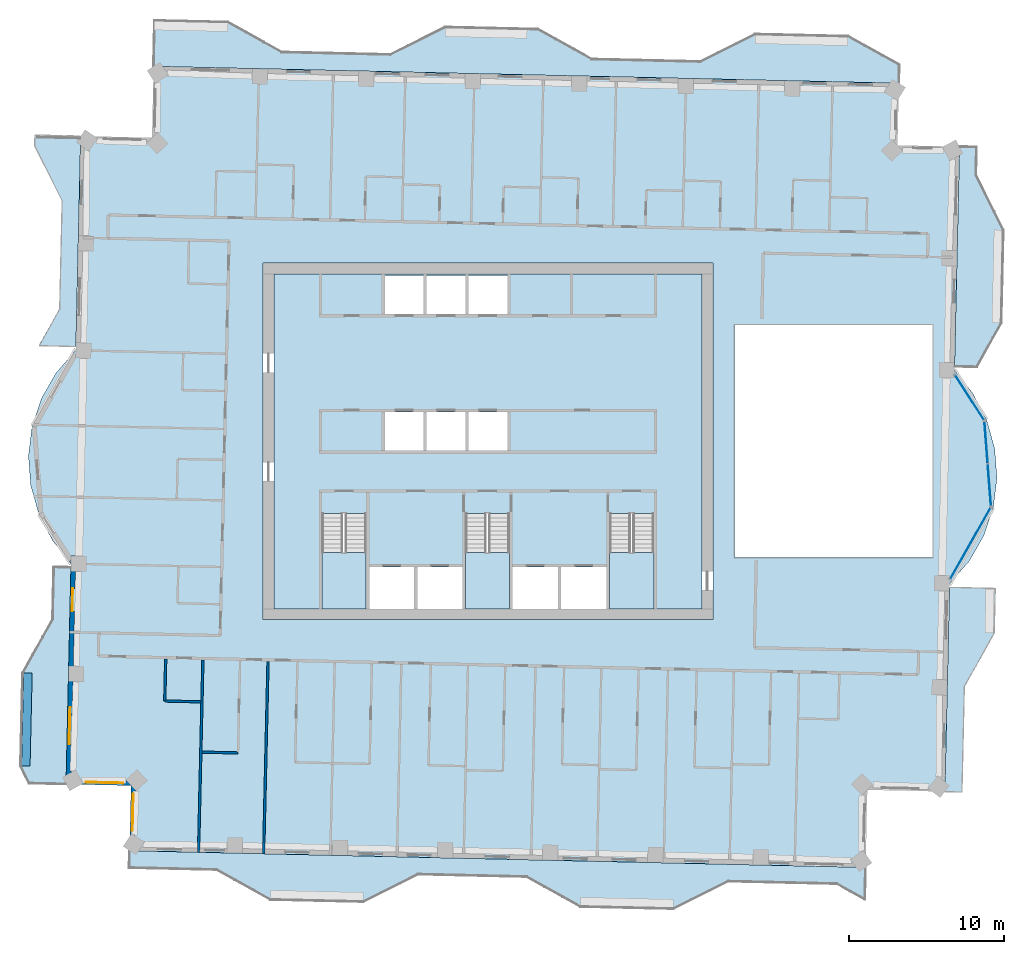
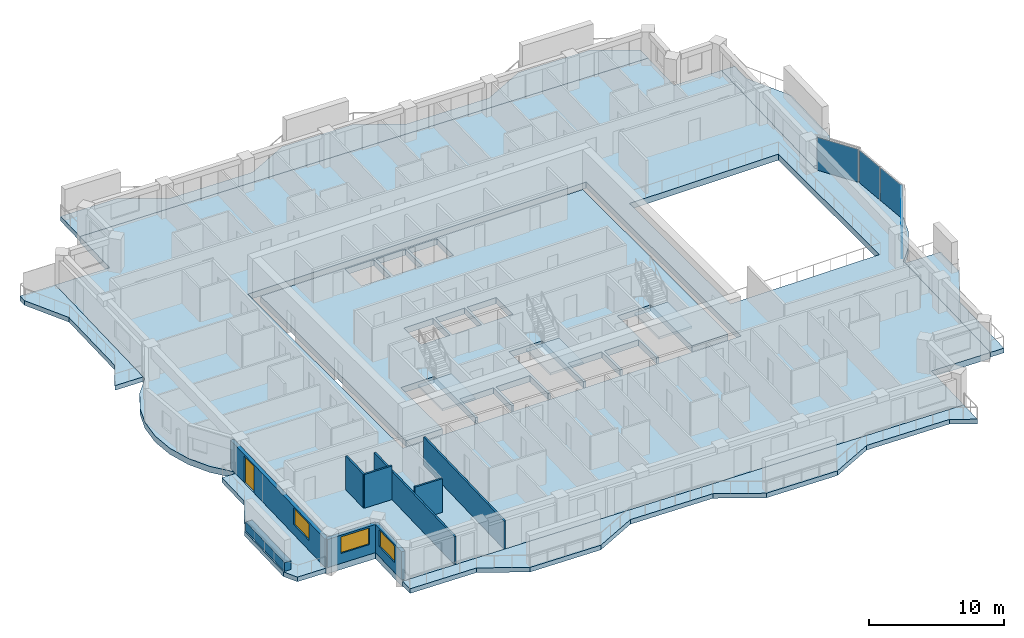
# One storey, part 5 of 17: 11 slabs, 9 walls, 4 plates, 3 windows, 1 door, 4 openings, 6 elements without a shape of their own.
"""IFC4 building model written with IfcOpenShell, lengths in metres."""

from ifc_helpers import new_model, si_unit, direction, frame, frame_2d, origin, origin_2d, place, context, subcontext, project, spatial, polyline, rectangle, outline, extrude, material, layer, layer_set, type_object, element, fill, aggregate, save


model = new_model("IFC4")

# Units and contexts
model_context = context("Model", 3, precision=1e-05, world=origin(), true_north=direction((0.0, 1.0)))
body_context = subcontext(model_context, "Body", "Model", "MODEL_VIEW")
ifc_project = project(units=[si_unit("LENGTHUNIT", "METRE"), si_unit("AREAUNIT", "SQUARE_METRE"), si_unit("VOLUMEUNIT", "CUBIC_METRE"), si_unit("PLANEANGLEUNIT", "RADIAN"), si_unit("MASSUNIT", "GRAM", prefix="KILO")], contexts=[model_context])

# Site, building, storey
site_placement = place(None, origin())
site = spatial("IfcSite", under=ifc_project, at=site_placement, CompositionType="ELEMENT")
building_placement = place(site_placement, origin())
building = spatial("IfcBuilding", under=site, at=building_placement, Name="Mangrove Gate Tower", CompositionType="ELEMENT")
storey_placement = place(building_placement, frame((0.0, 0.0, 260.89990234375)))
storey = spatial("IfcBuildingStorey", under=building, at=storey_placement, Name="L66", CompositionType="ELEMENT", Elevation=260.89990234375)

# Curtain wall, plate
ifc_material_1 = material(Name="Aluminium and glass curtain wall", Category="aluminium")
curtain_wall_type = type_object("IfcCurtainWallType", Name="Atrium garden-court glazing wall", PredefinedType="NOTDEFINED", material=ifc_material_1)
curtain_wall_1_placement = place(storey_placement, origin())
curtain_wall_1 = element("IfcCurtainWall", 1, at=curtain_wall_1_placement, inside=storey, type_object=curtain_wall_type, Name="Atrium garden-court glazing E1f1", PredefinedType="NOTDEFINED")
ifc_material_2 = material(Name="Laminated low-e glass", Category="glass")
ifc_layer_1 = layer(ifc_material_2, 0.031982421875)
ifc_layer_set_1 = layer_set([ifc_layer_1], Name="Atrium garden-court glazing panel 32")
plate_type = type_object("IfcPlateType", Name="Atrium garden-court glazing panel 32", PredefinedType="CURTAIN_PANEL", material=ifc_layer_set_1)
plate_1_placement = place(storey_placement, frame((31.117919921875, -6.572509765625, 0.0), z_axis=(0.0, 0.0, 1.0), x_axis=(0.492567972087, 0.870273975754, 0.0)))
plate_1 = element("IfcPlate", 2, at=plate_1_placement, type_object=plate_type, Name="CWA panel 1.1", PredefinedType="CURTAIN_PANEL", context=body_context, shape_type="SweptSolid", body=[
    extrude(rectangle(XDim=5.257568359375, YDim=0.031982421875, at=origin_2d()), origin(), (0.0, 0.0, 1.0), 2.97998046875),
])
aggregate(curtain_wall_1, [plate_1])

# Curtain wall, plates
curtain_wall_2_placement = place(storey_placement, origin())
curtain_wall_2 = element("IfcCurtainWall", 3, at=curtain_wall_2_placement, inside=storey, type_object=curtain_wall_type, Name="Atrium garden-court glazing E1f2", PredefinedType="NOTDEFINED")
plate_2_placement = place(storey_placement, frame((32.338623046875, -2.817138671875, 0.0), z_axis=(0.0, 0.0, 1.0), x_axis=(-0.077023348403, 0.997029289339, 0.0)))
plate_2 = element("IfcPlate", 4, at=plate_2_placement, type_object=plate_type, Name="CWA panel 1.1", PredefinedType="CURTAIN_PANEL", context=body_context, shape_type="SweptSolid", body=[
    extrude(rectangle(XDim=2.681640625, YDim=0.031982421875, at=origin_2d()), origin(), (0.0, 0.0, 1.0), 2.97998046875),
])
plate_3_placement = place(storey_placement, frame((32.126708984375, -0.07373046875, 0.0), z_axis=(0.0, 0.0, 1.0), x_axis=(-0.077023348403, 0.997029289339, 0.0)))
plate_3 = element("IfcPlate", 5, at=plate_3_placement, type_object=plate_type, Name="CWA panel 2.1", PredefinedType="CURTAIN_PANEL", context=body_context, shape_type="SweptSolid", body=[
    extrude(rectangle(XDim=2.681640625, YDim=0.031982421875, at=origin_2d()), origin(), (0.0, 0.0, 1.0), 2.97998046875),
])
aggregate(curtain_wall_2, [plate_2, plate_3])

# Curtain wall, plate
curtain_wall_3_placement = place(storey_placement, origin())
curtain_wall_3 = element("IfcCurtainWall", 6, at=curtain_wall_3_placement, inside=storey, type_object=curtain_wall_type, Name="Atrium garden-court glazing E1f3", PredefinedType="NOTDEFINED")
plate_4_placement = place(storey_placement, frame((31.0537109375, 2.833984375, 0.0), z_axis=(0.0, 0.0, 1.0), x_axis=(-0.540498107045, 0.841345230141, 0.0)))
plate_4 = element("IfcPlate", 7, at=plate_4_placement, type_object=plate_type, Name="CWA panel 1.1", PredefinedType="CURTAIN_PANEL", context=body_context, shape_type="SweptSolid", body=[
    extrude(rectangle(XDim=3.427978515625, YDim=0.031982421875, at=origin_2d()), origin(), (0.0, 0.0, 1.0), 2.97998046875),
])
aggregate(curtain_wall_3, [plate_4])

# Slabs
ifc_material_3 = material(Name="Porcelain tile")
ifc_layer_2 = layer(ifc_material_3, 0.02001953125, Name="Tile finish")
ifc_material_4 = material(Name="Cement sand screed")
ifc_layer_3 = layer(ifc_material_4, 0.0400390625, Name="Screed laid to falls")
ifc_material_5 = material(Name="Bituminous waterproofing membrane")
ifc_layer_4 = layer(ifc_material_5, 0.00390625, Name="Waterproofing")
ifc_material_6 = material(Name="Concrete C40/50", Category="concrete")
ifc_layer_5 = layer(ifc_material_6, 0.340087890625, Name="Balcony structural slab")
ifc_material_7 = material(Name="Limestone", Category="masonry")
ifc_layer_6 = layer(ifc_material_7, 0.01611328125, Name="Soffit lining")
ifc_layer_set_2 = layer_set([ifc_layer_2, ifc_layer_3, ifc_layer_4, ifc_layer_5, ifc_layer_6], Name="Balcony slab 420 C40/50")
slab_type_1 = type_object("IfcSlabType", Name="Balcony slab 420 C40/50", PredefinedType="FLOOR", material=ifc_layer_set_2)
slab_1_placement = place(storey_placement, frame((0.0, 0.0, -0.419921875)))
element("IfcSlab", 8, at=slab_1_placement, inside=storey, type_object=slab_type_1, Name="BALCONY L66 E0", PredefinedType="FLOOR", context=body_context, shape_type="SweptSolid", body=[
    extrude(outline(polyline([(30.60791015625, -22.614013671875), (30.761962890625, -15.81494140625), (32.69091796875, -12.35791015625), (32.756103515625, -9.48388671875), (29.76708984375, -9.416015625), (29.701904296875, -12.2900390625), (29.6220703125, -15.7890625), (29.468017578125, -22.587890625), (30.60791015625, -22.614013671875)])), origin(), (0.0, 0.0, 1.0), 0.419921875),
])
slab_2_placement = place(storey_placement, frame((0.0, 0.0, -0.419921875)))
element("IfcSlab", 9, at=slab_2_placement, inside=storey, type_object=slab_type_1, Name="BALCONY L66 E1", PredefinedType="FLOOR", context=body_context, shape_type="SweptSolid", body=[
    extrude(outline(polyline([(31.56103515625, 4.797119140625), (33.14501953125, 7.636962890625), (33.281005859375, 13.635009765625), (31.510986328125, 17.176025390625), (31.552001953125, 18.97607421875), (30.412109375, 19.001953125), (30.37109375, 17.201904296875), (30.2919921875, 13.702880859375), (30.156005859375, 7.705078125), (30.090087890625, 4.8310546875), (31.56103515625, 4.797119140625)])), origin(), (0.0, 0.0, 1.0), 0.419921875),
])
slab_3_placement = place(storey_placement, frame((0.0, 0.0, -0.419921875)))
element("IfcSlab", 10, at=slab_3_placement, inside=storey, type_object=slab_type_1, Name="BALCONY L66 N0", PredefinedType="FLOOR", context=body_context, shape_type="SweptSolid", body=[
    extrude(outline(polyline([(26.531982421875, 24.318115234375), (23.236083984375, 26.156005859375), (17.238037109375, 26.2919921875), (13.697021484375, 24.52197265625), (6.698974609375, 24.680908203125), (3.241943359375, 26.610107421875), (2.5419921875, 26.6259765625), (-2.757080078125, 26.74609375), (-6.298095703125, 24.97705078125), (-13.2958984375, 25.135009765625), (-16.7529296875, 27.06396484375), (-21.488037109375, 27.1708984375), (-21.555908203125, 24.181884765625), (26.50390625, 23.091064453125), (26.531982421875, 24.318115234375)])), origin(), (0.0, 0.0, 1.0), 0.419921875),
])
slab_4_placement = place(storey_placement, frame((0.0, 0.0, -0.419921875)))
element("IfcSlab", 11, at=slab_4_placement, inside=storey, type_object=slab_type_1, Name="BALCONY L66 W0", PredefinedType="FLOOR", context=body_context, shape_type="SweptSolid", body=[
    extrude(outline(polyline([(-29.248046875, 19.7548828125), (-29.263916015625, 19.055908203125), (-27.493896484375, 15.513916015625), (-27.653076171875, 8.51611328125), (-28.9619140625, 6.1708984375), (-26.56689453125, 6.115966796875), (-26.512939453125, 8.489990234375), (-26.35400390625, 15.489013671875), (-26.27490234375, 18.988037109375), (-26.259033203125, 19.68798828125), (-29.248046875, 19.7548828125)])), origin(), (0.0, 0.0, 1.0), 0.419921875),
])
slab_5_placement = place(storey_placement, frame((0.0, 0.0, -0.419921875)))
element("IfcSlab", 12, at=slab_5_placement, inside=storey, type_object=slab_type_1, Name="BALCONY L66 W1", PredefinedType="FLOOR", context=body_context, shape_type="SweptSolid", body=[
    extrude(outline(polyline([(-28.030029296875, -8.10498046875), (-28.10693359375, -11.47900390625), (-30.035888671875, -14.93603515625), (-30.172119140625, -20.93408203125), (-29.614990234375, -22.047119140625), (-27.20703125, -22.10205078125), (-27.181884765625, -21.001953125), (-27.0458984375, -15.00390625), (-26.967041015625, -11.50390625), (-26.889892578125, -8.131103515625), (-28.030029296875, -8.10498046875)])), origin(), (0.0, 0.0, 1.0), 0.419921875),
])
slab_6_placement = place(storey_placement, frame((0.0, 0.0, -0.419921875)))
element("IfcSlab", 13, at=slab_6_placement, inside=storey, type_object=slab_type_1, Name="BALCONY L66 S0", PredefinedType="FLOOR", context=body_context, shape_type="SweptSolid", body=[
    extrude(outline(polyline([(-23.1298828125, -27.535888671875), (-17.4951171875, -27.6630859375), (-14.0380859375, -29.592041015625), (-8.0400390625, -29.72900390625), (-4.498046875, -27.9580078125), (2.5, -28.116943359375), (5.95703125, -30.0458984375), (11.955078125, -30.181884765625), (15.49609375, -28.4130859375), (22.4951171875, -28.571044921875), (24.30810546875, -29.5830078125), (24.35595703125, -27.472900390625), (2.52587890625, -26.97802734375), (0.6259765625, -26.93408203125), (-4.472900390625, -26.819091796875), (-23.10400390625, -26.39599609375), (-23.1298828125, -27.535888671875)])), origin(), (0.0, 0.0, 1.0), 0.419921875),
])
ifc_material_8 = material(Name="Concrete C40/50", Category="concrete")
ifc_layer_7 = layer(ifc_material_8, 0.550048828125)
ifc_layer_set_3 = layer_set([ifc_layer_7], Name="Core floor slab 550 C40/50")
slab_type_2 = type_object("IfcSlabType", Name="Core floor slab 550 C40/50", PredefinedType="FLOOR", material=ifc_layer_set_3)
slab_7_placement = place(storey_placement, frame((0.0, 0.0, -0.5498046875)))
element("IfcSlab", 14, at=slab_7_placement, inside=storey, type_object=slab_type_2, Name="SLAB-L66-CORE-1", PredefinedType="FLOOR", context=body_context, shape_type="SweptSolid", body=[
    extrude(outline(polyline([(-13.800048828125, -10.800048828125), (-13.800048828125, 10.800048828125), (13.800048828125, 10.800048828125), (13.800048828125, -10.800048828125), (10.699951171875, -10.800048828125), (10.699951171875, -4.653076171875), (7.85009765625, -4.653076171875), (7.85009765625, -10.800048828125), (7.64990234375, -10.800048828125), (7.64990234375, -8.10009765625), (4.72509765625, -8.10009765625), (4.72509765625, -10.800048828125), (4.52490234375, -10.800048828125), (4.52490234375, -8.10009765625), (1.60009765625, -8.10009765625), (1.60009765625, -10.800048828125), (1.39990234375, -10.800048828125), (1.39990234375, -4.653076171875), (-1.449951171875, -4.653076171875), (-1.449951171875, -10.800048828125), (-1.64990234375, -10.800048828125), (-1.64990234375, -8.10009765625), (-4.550048828125, -8.10009765625), (-4.550048828125, -10.800048828125), (-4.75, -10.800048828125), (-4.75, -8.10009765625), (-7.64990234375, -8.10009765625), (-7.64990234375, -10.800048828125), (-7.85009765625, -10.800048828125), (-7.85009765625, -4.653076171875), (-10.699951171875, -4.653076171875), (-10.699951171875, -10.800048828125), (-13.800048828125, -10.800048828125)]), holes=[polyline([(-4.14990234375, 1.89990234375), (-6.64990234375, 1.89990234375), (-6.64990234375, -0.60009765625), (-4.14990234375, -0.60009765625), (-4.14990234375, 1.89990234375)]), polyline([(-1.449951171875, -0.60009765625), (-1.449951171875, 1.89990234375), (-3.949951171875, 1.89990234375), (-3.949951171875, -0.60009765625), (-1.449951171875, -0.60009765625)]), polyline([(-4.14990234375, 8.199951171875), (-4.14990234375, 10.699951171875), (-6.64990234375, 10.699951171875), (-6.64990234375, 8.199951171875), (-4.14990234375, 8.199951171875)]), polyline([(-1.449951171875, 10.699951171875), (-3.949951171875, 10.699951171875), (-3.949951171875, 8.199951171875), (-1.449951171875, 8.199951171875), (-1.449951171875, 10.699951171875)]), polyline([(1.25, -0.60009765625), (1.25, 1.89990234375), (-1.25, 1.89990234375), (-1.25, -0.60009765625), (1.25, -0.60009765625)]), polyline([(1.25, 8.199951171875), (1.25, 10.699951171875), (-1.25, 10.699951171875), (-1.25, 8.199951171875), (1.25, 8.199951171875)])]), origin(), (0.0, 0.0, 1.0), 0.5498046875),
])

# Stair, slab
ifc_material_9 = material(Name="Concrete C40/50", Category="concrete")
stair_type = type_object("IfcStairType", Name="Core stair 1350", PredefinedType="HALF_TURN_STAIR", material=ifc_material_9)
stair_1_placement = place(storey_placement, origin())
stair_1 = element("IfcStair", 15, at=stair_1_placement, inside=storey, type_object=stair_type, Name="L66 Stair 1", PredefinedType="HALF_TURN_STAIR")
ifc_material_10 = material(Name="Concrete C40/50", Category="concrete")
ifc_layer_8 = layer(ifc_material_10, 0.199951171875)
ifc_layer_set_4 = layer_set([ifc_layer_8], Name="Core stair landing 200")
slab_type_3 = type_object("IfcSlabType", Name="Core stair landing 200", PredefinedType="LANDING", material=ifc_layer_set_4)
slab_8_placement = place(storey_placement, frame((0.0, 0.0, 1.60009765625)))
slab_8 = element("IfcSlab", 16, at=slab_8_placement, type_object=slab_type_3, Name="ST1 landing 1", PredefinedType="LANDING", context=body_context, shape_type="SweptSolid", body=[
    extrude(outline(polyline([(-10.699951171875, -7.169921875), (-10.699951171875, -10.800048828125), (-7.85009765625, -10.800048828125), (-7.85009765625, -7.169921875), (-10.699951171875, -7.169921875)])), origin(), (0.0, 0.0, 1.0), 0.199951171875),
])
aggregate(stair_1, [slab_8])

stair_2_placement = place(storey_placement, origin())
stair_2 = element("IfcStair", 17, at=stair_2_placement, inside=storey, type_object=stair_type, Name="L66 Stair 2", PredefinedType="HALF_TURN_STAIR")
slab_9_placement = place(storey_placement, frame((0.0, 0.0, 1.60009765625)))
slab_9 = element("IfcSlab", 18, at=slab_9_placement, type_object=slab_type_3, Name="ST2 landing 1", PredefinedType="LANDING", context=body_context, shape_type="SweptSolid", body=[
    extrude(outline(polyline([(-1.449951171875, -7.169921875), (-1.449951171875, -10.800048828125), (1.39990234375, -10.800048828125), (1.39990234375, -7.169921875), (-1.449951171875, -7.169921875)])), origin(), (0.0, 0.0, 1.0), 0.199951171875),
])
aggregate(stair_2, [slab_9])

stair_3_placement = place(storey_placement, origin())
stair_3 = element("IfcStair", 19, at=stair_3_placement, inside=storey, type_object=stair_type, Name="L66 Stair 3", PredefinedType="HALF_TURN_STAIR")
slab_10_placement = place(storey_placement, frame((0.0, 0.0, 1.60009765625)))
slab_10 = element("IfcSlab", 20, at=slab_10_placement, type_object=slab_type_3, Name="ST3 landing 1", PredefinedType="LANDING", context=body_context, shape_type="SweptSolid", body=[
    extrude(outline(polyline([(7.85009765625, -7.169921875), (7.85009765625, -10.800048828125), (10.699951171875, -10.800048828125), (10.699951171875, -7.169921875), (7.85009765625, -7.169921875)])), origin(), (0.0, 0.0, 1.0), 0.199951171875),
])
aggregate(stair_3, [slab_10])

# Slab
ifc_material_11 = material(Name="Concrete C40/50", Category="concrete")
ifc_layer_9 = layer(ifc_material_11, 0.550048828125)
ifc_layer_set_5 = layer_set([ifc_layer_9], Name="Floor slab 550 C40/50")
slab_type_4 = type_object("IfcSlabType", Name="Floor slab 550 C40/50", PredefinedType="FLOOR", material=ifc_layer_set_5)
slab_11_placement = place(storey_placement, frame((0.0, 0.0, -0.5498046875)))
element("IfcSlab", 21, at=slab_11_placement, inside=storey, type_object=slab_type_4, Name="Floor slab L66", PredefinedType="FLOOR", context=body_context, shape_type="SweptSolid", body=[
    extrude(outline(polyline([(-23.103759765625, -26.39599609375), (24.35595703125, -27.472900390625), (24.469482421875, -22.47412109375), (29.46826171875, -22.587646484375), (29.772705078125, -9.16650390625), (31.03564453125, -7.72998046875), (31.98876953125, -6.071533203125), (32.59423828125, -4.257080078125), (32.827880859375, -2.358642578125), (32.6806640625, -0.45166015625), (32.158203125, 1.388427734375), (31.28125, 3.08837890625), (30.084716796875, 4.58056640625), (30.411865234375, 19.001708984375), (26.4130859375, 19.09228515625), (26.503662109375, 23.09130859375), (-21.555908203125, 24.181884765625), (-21.66015625, 19.583251953125), (-26.259033203125, 19.6875), (-26.57275390625, 5.866455078125), (-27.835693359375, 4.429931640625), (-28.788818359375, 2.771484375), (-29.394287109375, 0.95703125), (-29.6279296875, -0.94140625), (-29.480712890625, -2.848388671875), (-28.958251953125, -4.6884765625), (-28.081298828125, -6.388427734375), (-26.884765625, -7.880615234375), (-27.20751953125, -22.101806640625), (-23.008544921875, -22.197021484375), (-23.103759765625, -26.39599609375)]), holes=[polyline([(15.89990234375, 7.5), (28.658935546875, 7.5), (28.658935546875, -7.5), (15.89990234375, -7.5), (15.89990234375, 7.5)]), polyline([(-14.5, -11.5), (-14.5, 11.5), (14.5, 11.5), (14.5, -11.5), (-14.5, -11.5)])]), origin(), (0.0, 0.0, 1.0), 0.5498046875),
])

# Wall, openings, door, window
ifc_layer_10 = layer(ifc_material_7, 0.0400390625, Name="Limestone cladding")
ifc_material_12 = material(Name="Ventilated air gap")
ifc_layer_11 = layer(ifc_material_12, 0.0400390625, Name="Ventilated cavity")
ifc_material_13 = material(Name="Mineral wool insulation")
ifc_layer_12 = layer(ifc_material_13, 0.06005859375, Name="Insulation")
ifc_material_14 = material(Name="Breather membrane")
ifc_layer_13 = layer(ifc_material_14, 0.001953125, Name="Breather membrane")
ifc_material_15 = material(Name="Concrete C20/25 blockwork", Category="masonry")
ifc_layer_14 = layer(ifc_material_15, 0.14990234375, Name="Blockwork backing wall")
ifc_material_16 = material(Name="Gypsum plaster")
ifc_layer_15 = layer(ifc_material_16, 0.008056640625, Name="Internal plaster")
ifc_layer_set_6 = layer_set([ifc_layer_10, ifc_layer_11, ifc_layer_12, ifc_layer_13, ifc_layer_14, ifc_layer_15], Name="External wall 300 limestone cladding")
wall_type_1 = type_object("IfcWallType", Name="External wall 300 limestone cladding", PredefinedType="SOLIDWALL", material=ifc_layer_set_6)
wall_1_placement = place(storey_placement, frame((-26.722900390625, -7.385009765625, 0.0), z_axis=(0.0, 0.0, 1.0), x_axis=(-0.022715697396, -0.999741965255, 0.0)))
wall_1 = element("IfcWall", 22, at=wall_1_placement, inside=storey, type_object=wall_type_1, Name="WALL-L66-W10s1", PredefinedType="SOLIDWALL", context=body_context, shape_type="SweptSolid", body=[
    extrude(rectangle(XDim=14.57373046875, YDim=0.300048828125, at=frame_2d((7.286865234375, 0.0))), origin(), (0.0, 0.0, 1.0), 2.550048828125),
])
opening_1_placement = place(wall_1_placement, frame((2.0869140625, 0.0, 0.0)))
opening_1 = element("IfcOpeningElement", 23, at=opening_1_placement, cuts=wall_1, Name="Opening BD1", PredefinedType="OPENING", context=body_context, shape_type="SweptSolid", body=[
    extrude(rectangle(XDim=1.5, YDim=2.39990234375, at=frame_2d((0.75, 1.199951171875))), frame((0.0, 0.159912109375, 0.0), z_axis=(0.0, -1.0, 0.0), x_axis=(1.0, 0.0, 0.0)), (0.0, 0.0, 1.0), 0.320068359375),
])
opening_2_placement = place(wall_1_placement, frame((9.7490234375, 0.0, 0.89990234375)))
opening_2 = element("IfcOpeningElement", 24, at=opening_2_placement, cuts=wall_1, Name="Opening W2", PredefinedType="OPENING", context=body_context, shape_type="SweptSolid", body=[
    extrude(rectangle(XDim=2.39990234375, YDim=1.5, at=frame_2d((1.199951171875, 0.75))), frame((0.0, 0.159912109375, 0.0), z_axis=(0.0, -1.0, 0.0), x_axis=(1.0, 0.0, 0.0)), (0.0, 0.0, 1.0), 0.320068359375),
])
ifc_material_17 = material(Name="Aluminium frame with laminated clear glass", Category="aluminium")
door_type = type_object("IfcDoorType", Name="Balcony sliding door 1500x2400", OperationType="SLIDING_TO_LEFT", PredefinedType="DOOR", material=ifc_material_17)
door_placement = place(opening_1_placement, origin())
door = element("IfcDoor", 25, at=door_placement, inside=storey, type_object=door_type, Name="DOOR-L66-W10-1", OperationType="SLIDING_TO_LEFT", OverallHeight=2.39990234375, OverallWidth=1.5, PredefinedType="DOOR", context=body_context, shape_type="SweptSolid", body=[
    extrude(rectangle(XDim=1.5, YDim=2.39990234375, at=frame_2d((0.75, 1.199951171875))), frame((0.0, 0.02490234375, 0.0), z_axis=(0.0, -1.0, 0.0), x_axis=(1.0, 0.0, 0.0)), (0.0, 0.0, 1.0), 0.050048828125),
])
fill(opening_1, door)
ifc_material_18 = material(Name="Aluminium frame with double-glazed low-e glass", Category="aluminium")
window_type = type_object("IfcWindowType", Name="Corner room window 2400x1500", PartitioningType="DOUBLE_PANEL_VERTICAL", PredefinedType="WINDOW", material=ifc_material_18)
window_1_placement = place(opening_2_placement, origin())
window_1 = element("IfcWindow", 26, at=window_1_placement, inside=storey, type_object=window_type, Name="WIN-L66-W10-2", OverallHeight=1.5, OverallWidth=2.39990234375, PartitioningType="DOUBLE_PANEL_VERTICAL", PredefinedType="WINDOW", context=body_context, shape_type="SweptSolid", body=[
    extrude(rectangle(XDim=2.39990234375, YDim=1.5, at=frame_2d((1.199951171875, 0.75))), frame((0.0, 0.030029296875, 0.0), z_axis=(0.0, -1.0, 0.0), x_axis=(1.0, 0.0, 0.0)), (0.0, 0.0, 1.0), 0.06005859375),
])
fill(opening_2, window_1)

# Wall, opening, window
wall_2_placement = place(storey_placement, frame((-27.053955078125, -21.955078125, 0.0), z_axis=(0.0, 0.0, 1.0), x_axis=(0.999744320311, -0.022611811187, 0.0)))
wall_2 = element("IfcWall", 27, at=wall_2_placement, inside=storey, type_object=wall_type_1, Name="WALL-L66-S11", PredefinedType="SOLIDWALL", context=body_context, shape_type="SweptSolid", body=[
    extrude(rectangle(XDim=4.199951171875, YDim=0.300048828125, at=frame_2d((2.10009765625, 0.0))), origin(), (0.0, 0.0, 1.0), 2.550048828125),
])
opening_3_placement = place(wall_2_placement, frame((1.131103515625, 0.0, 0.89990234375)))
opening_3 = element("IfcOpeningElement", 28, at=opening_3_placement, cuts=wall_2, Name="Opening W2", PredefinedType="OPENING", context=body_context, shape_type="SweptSolid", body=[
    extrude(rectangle(XDim=2.39990234375, YDim=1.5, at=frame_2d((1.199951171875, 0.75))), frame((0.0, 0.159912109375, 0.0), z_axis=(0.0, -1.0, 0.0), x_axis=(1.0, 0.0, 0.0)), (0.0, 0.0, 1.0), 0.320068359375),
])
window_2_placement = place(opening_3_placement, origin())
window_2 = element("IfcWindow", 29, at=window_2_placement, inside=storey, type_object=window_type, Name="WIN-L66-S11-1", OverallHeight=1.5, OverallWidth=2.39990234375, PartitioningType="DOUBLE_PANEL_VERTICAL", PredefinedType="WINDOW", context=body_context, shape_type="SweptSolid", body=[
    extrude(rectangle(XDim=2.39990234375, YDim=1.5, at=frame_2d((1.199951171875, 0.75))), frame((0.0, 0.030029296875, 0.0), z_axis=(0.0, -1.0, 0.0), x_axis=(1.0, 0.0, 0.0)), (0.0, 0.0, 1.0), 0.06005859375),
])
fill(opening_3, window_2)

wall_3_placement = place(storey_placement, frame((-22.85498046875, -22.050048828125, 0.0), z_axis=(0.0, 0.0, 1.0), x_axis=(-0.022611811187, -0.999744320311, 0.0)))
wall_3 = element("IfcWall", 30, at=wall_3_placement, inside=storey, type_object=wall_type_1, Name="WALL-L66-W12", PredefinedType="SOLIDWALL", context=body_context, shape_type="SweptSolid", body=[
    extrude(rectangle(XDim=4.199951171875, YDim=0.300048828125, at=frame_2d((2.10009765625, 0.0))), origin(), (0.0, 0.0, 1.0), 2.550048828125),
])
opening_4_placement = place(wall_3_placement, frame((0.669921875, 0.0, 0.89990234375)))
opening_4 = element("IfcOpeningElement", 31, at=opening_4_placement, cuts=wall_3, Name="Opening W2", PredefinedType="OPENING", context=body_context, shape_type="SweptSolid", body=[
    extrude(rectangle(XDim=2.39990234375, YDim=1.5, at=frame_2d((1.199951171875, 0.75))), frame((0.0, 0.159912109375, 0.0), z_axis=(0.0, -1.0, 0.0), x_axis=(1.0, 0.0, 0.0)), (0.0, 0.0, 1.0), 0.320068359375),
])
window_3_placement = place(opening_4_placement, origin())
window_3 = element("IfcWindow", 32, at=window_3_placement, inside=storey, type_object=window_type, Name="WIN-L66-W12-1", OverallHeight=1.5, OverallWidth=2.39990234375, PartitioningType="DOUBLE_PANEL_VERTICAL", PredefinedType="WINDOW", context=body_context, shape_type="SweptSolid", body=[
    extrude(rectangle(XDim=2.39990234375, YDim=1.5, at=frame_2d((1.199951171875, 0.75))), frame((0.0, 0.030029296875, 0.0), z_axis=(0.0, -1.0, 0.0), x_axis=(1.0, 0.0, 0.0)), (0.0, 0.0, 1.0), 0.06005859375),
])
fill(opening_4, window_3)

# Walls
ifc_material_19 = material(Name="Gypsum board on steel stud, EI 60", Category="steel")
ifc_layer_16 = layer(ifc_material_19, 0.14990234375)
ifc_layer_set_7 = layer_set([ifc_layer_16], Name="Party wall 150 EI 60")
wall_type_2 = type_object("IfcWallType", Name="Party wall 150 EI 60", PredefinedType="PARTITIONING", material=ifc_layer_set_7)
for number, where, z_axis, x_axis, name in (
    (33, (-18.658935546875, -26.4970703125, 0.0), (0.0, 0.0, 1.0), (0.022661475803, 0.999743195783, 0.0), "WALL-L66-001"),
    (34, (-14.4599609375, -26.592041015625, 0.0), (0.0, 0.0, 1.0), (0.022661475803, 0.999743195783, 0.0), "WALL-L66-002"),
):
    element("IfcWall", number, at=place(storey_placement, frame(where, z_axis=z_axis, x_axis=x_axis)), inside=storey, type_object=wall_type_2, Name=name, PredefinedType="PARTITIONING", context=body_context, shape_type="SweptSolid", body=[
        extrude(rectangle(XDim=12.400146484375, YDim=0.14990234375, at=frame_2d((6.2001953125, 0.0))), origin(), (0.0, 0.0, 1.0), 2.550048828125),
    ])
wall_4_placement = place(storey_placement, frame((-18.43310546875, -20.0400390625, 0.0), z_axis=(0.0, 0.0, 1.0), x_axis=(0.99974031529, -0.022788198363, 0.0)))
element("IfcWall", 35, at=wall_4_placement, inside=storey, type_object=wall_type_2, Name="WALL-L66-024", PredefinedType="PARTITIONING", context=body_context, shape_type="SweptSolid", body=[
    extrude(rectangle(XDim=2.32470703125, YDim=0.14990234375, at=frame_2d((1.162353515625, 0.0))), origin(), (0.0, 0.0, 1.0), 3.050048828125),
])
wall_5_placement = place(storey_placement, frame((-20.837890625, -16.7451171875, 0.0), z_axis=(0.0, 0.0, 1.0), x_axis=(0.022515998029, 0.999746482781, 0.0)))
element("IfcWall", 36, at=wall_5_placement, inside=storey, type_object=wall_type_2, Name="WALL-L66-030", PredefinedType="PARTITIONING", context=body_context, shape_type="SweptSolid", body=[
    extrude(rectangle(XDim=2.699951171875, YDim=0.14990234375, at=frame_2d((1.35009765625, 0.0))), origin(), (0.0, 0.0, 1.0), 3.050048828125),
])
wall_6_placement = place(storey_placement, frame((-20.833984375, -16.7451171875, 0.0), z_axis=(0.0, 0.0, 1.0), x_axis=(0.999740260747, -0.02279059109, 0.0)))
element("IfcWall", 37, at=wall_6_placement, inside=storey, type_object=wall_type_2, Name="WALL-L66-031", PredefinedType="PARTITIONING", context=body_context, shape_type="SweptSolid", body=[
    extrude(rectangle(XDim=2.324462890625, YDim=0.14990234375, at=frame_2d((1.162109375, 0.0))), origin(), (0.0, 0.0, 1.0), 3.050048828125),
])
ifc_material_20 = material(Name="Concrete C32/40", Category="concrete")
ifc_layer_17 = layer(ifc_material_20, 0.199951171875, Name="Planter trough wall")
ifc_layer_18 = layer(ifc_material_5, 0.0048828125, Name="Waterproofing")
ifc_material_21 = material(Name="Drainage board and gravel")
ifc_layer_19 = layer(ifc_material_21, 0.044921875, Name="Drainage layer")
ifc_material_22 = material(Name="Planting soil")
ifc_layer_20 = layer(ifc_material_22, 0.300048828125, Name="Growing medium")
ifc_layer_set_8 = layer_set([ifc_layer_17, ifc_layer_18, ifc_layer_19, ifc_layer_20], Name="Planter wall 550 C32/40")
wall_type_3 = type_object("IfcWallType", Name="Planter wall 550 C32/40", PredefinedType="USERDEFINED", material=ifc_layer_set_8)
wall_7_placement = place(storey_placement, frame((-29.797119140625, -20.94189453125, 0.0), z_axis=(0.0, 0.0, 1.0), x_axis=(0.022707539383, 0.999742150584, 0.0)))
element("IfcWall", 38, at=wall_7_placement, inside=storey, type_object=wall_type_3, Name="PLANTER L66 W1.1", ObjectType="PLANTER", PredefinedType="USERDEFINED", context=body_context, shape_type="SweptSolid", body=[
    extrude(rectangle(XDim=5.999267578125, YDim=0.550048828125, at=frame_2d((2.99951171875, 0.0))), origin(), (0.0, 0.0, 1.0), 0.800048828125),
])

save(model, "model.ifc")
